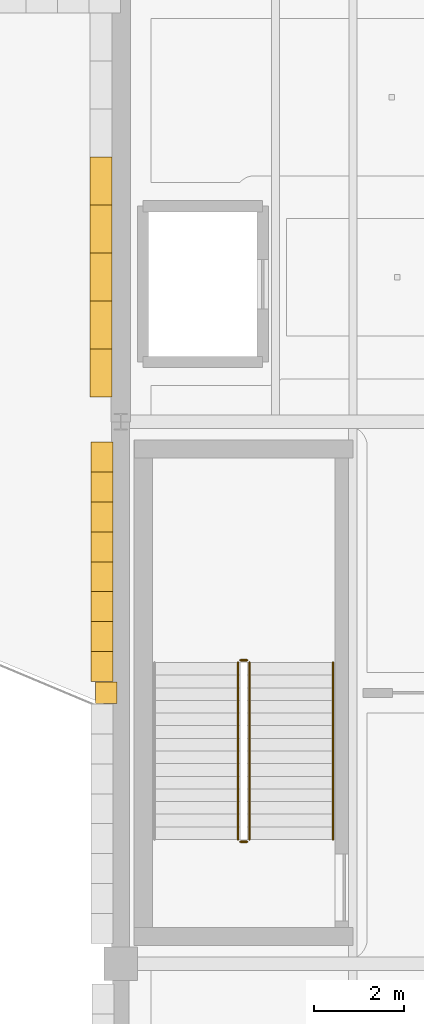
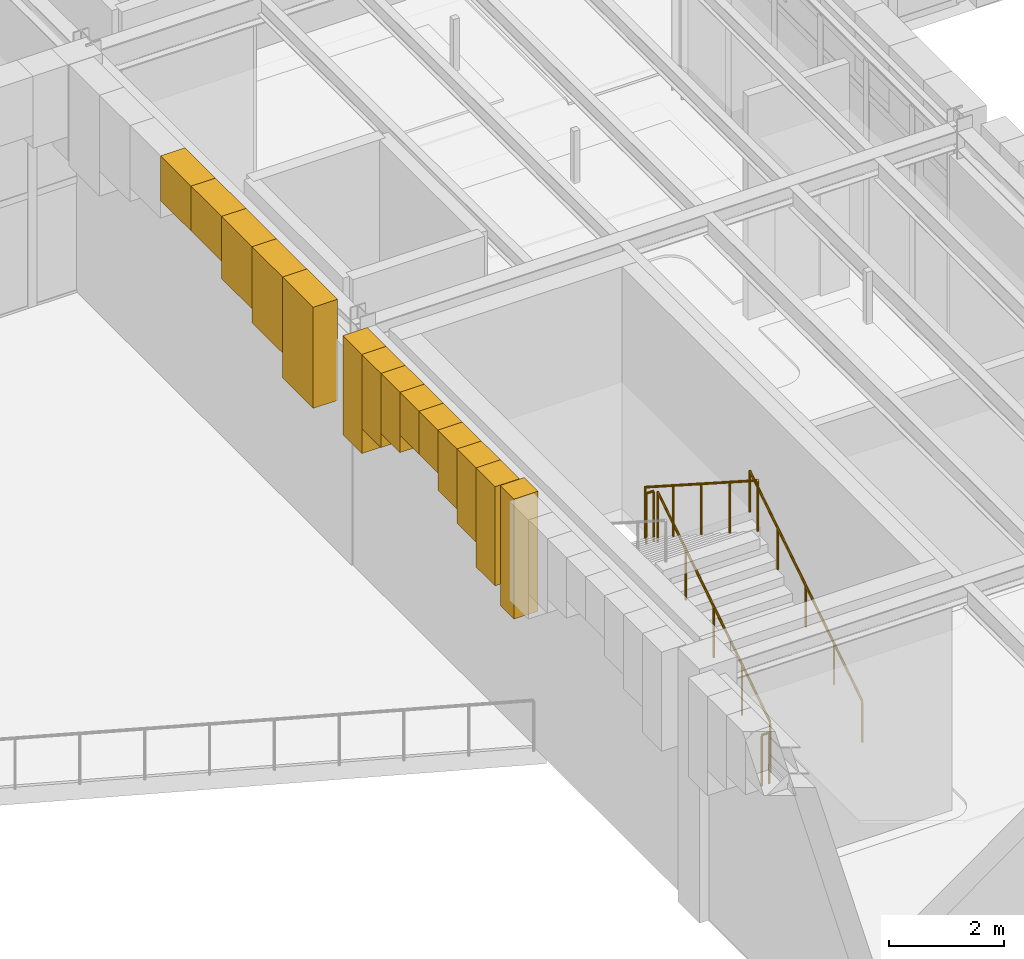
# One storey, part 86 of 103: 14 coverings, 5 railings.
"""IFC4 building model written with IfcOpenShell, lengths in metres."""

from ifc_helpers import new_model, si_unit, direction, frame, origin, origin_2d, place, context, subcontext, project, spatial, polyline, circle, outline, extrude, material, layer, layer_set, type_object, element, save


model = new_model("IFC4")

# Units and contexts
model_context = context("Model", 3, precision=1e-05, world=origin(), true_north=direction((0.0, 1.0)))
body_context = subcontext(model_context, "Body", "Model", "MODEL_VIEW")
ifc_project = project(units=[si_unit("LENGTHUNIT", "METRE"), si_unit("AREAUNIT", "SQUARE_METRE"), si_unit("VOLUMEUNIT", "CUBIC_METRE"), si_unit("PLANEANGLEUNIT", "RADIAN"), si_unit("MASSUNIT", "GRAM", prefix="KILO")], contexts=[model_context])

# Site, building, storey
site_placement = place(None, origin())
site = spatial("IfcSite", under=ifc_project, at=site_placement, CompositionType="ELEMENT")
building_placement = place(site_placement, origin())
building = spatial("IfcBuilding", under=site, at=building_placement, Name="Zlatogorsky Bluff Art Gallery", CompositionType="ELEMENT")
storey_placement = place(building_placement, origin())
storey = spatial("IfcBuildingStorey", under=building, at=storey_placement, Name="L00", CompositionType="ELEMENT", Elevation=0.0)

# Coverings
ifc_material_1 = material(Name="Honed Red Agra-Tone Quartzitic Sandstone", Category="masonry")
ifc_layer = layer(ifc_material_1, 0.1201171875)
ifc_layer_set = layer_set([ifc_layer], Name="Carved Sandstone Cladding CLD-02")
covering_type = type_object("IfcCoveringType", Name="Carved Sandstone Cladding CLD-02", PredefinedType="CLADDING", material=ifc_layer_set)
covering_1_placement = place(storey_placement, frame((0.0, 0.0, 2.81005859375)))
element("IfcCovering", 1, at=covering_1_placement, inside=storey, type_object=covering_type, Name="Mughal blind-arch sandstone pilaster L00.W.10.6", PredefinedType="CLADDING", context=body_context, shape_type="SweptSolid", body=[
    extrude(outline(polyline([(119.43994140625, 68.159912109375), (119.919921875, 68.159912109375), (119.919921875, 68.639892578125), (119.43994140625, 68.639892578125), (119.43994140625, 68.159912109375)])), origin(), (0.0, 0.0, 1.0), 2.550048828125),
])
covering_2_placement = place(storey_placement, frame((0.0, 0.0, 3.25244140625)))
element("IfcCovering", 2, at=covering_2_placement, inside=storey, type_object=covering_type, Name="Pointed Mughal arch voussoir spandrel WARCH-L00-W-10-06-B.1", PredefinedType="CLADDING", context=body_context, shape_type="SweptSolid", body=[
    extrude(outline(polyline([(119.340087890625, 68.64990234375), (119.340087890625, 69.3125), (119.830078125, 69.3125), (119.830078125, 68.64990234375), (119.340087890625, 68.64990234375)])), origin(), (0.0, 0.0, 1.0), 2.107666015625),
])
covering_3_placement = place(storey_placement, frame((0.0, 0.0, 3.78369140625)))
element("IfcCovering", 3, at=covering_3_placement, inside=storey, type_object=covering_type, Name="Pointed Mughal arch voussoir spandrel WARCH-L00-W-10-06-B.2", PredefinedType="CLADDING", context=body_context, shape_type="SweptSolid", body=[
    extrude(outline(polyline([(119.340087890625, 69.3125), (119.340087890625, 69.97509765625), (119.830078125, 69.97509765625), (119.830078125, 69.3125), (119.340087890625, 69.3125)])), origin(), (0.0, 0.0, 1.0), 1.576416015625),
])
covering_4_placement = place(storey_placement, frame((0.0, 0.0, 4.07666015625)))
element("IfcCovering", 4, at=covering_4_placement, inside=storey, type_object=covering_type, Name="Pointed Mughal arch voussoir spandrel WARCH-L00-W-10-06-B.3", PredefinedType="CLADDING", context=body_context, shape_type="SweptSolid", body=[
    extrude(outline(polyline([(119.340087890625, 69.97509765625), (119.340087890625, 70.637451171875), (119.830078125, 70.637451171875), (119.830078125, 69.97509765625), (119.340087890625, 69.97509765625)])), origin(), (0.0, 0.0, 1.0), 1.283447265625),
])
covering_5_placement = place(storey_placement, frame((0.0, 0.0, 4.4453125)))
element("IfcCovering", 5, at=covering_5_placement, inside=storey, type_object=covering_type, Name="Pointed Mughal arch voussoir spandrel WARCH-L00-W-10-06-B.4", PredefinedType="CLADDING", context=body_context, shape_type="SweptSolid", body=[
    extrude(outline(polyline([(119.340087890625, 70.637451171875), (119.340087890625, 71.300048828125), (119.830078125, 71.300048828125), (119.830078125, 70.637451171875), (119.340087890625, 70.637451171875)])), origin(), (0.0, 0.0, 1.0), 0.914794921875),
])
covering_6_placement = place(storey_placement, frame((0.0, 0.0, 4.4453125)))
element("IfcCovering", 6, at=covering_6_placement, inside=storey, type_object=covering_type, Name="Pointed Mughal arch voussoir spandrel WARCH-L00-W-10-06-B.5", PredefinedType="CLADDING", context=body_context, shape_type="SweptSolid", body=[
    extrude(outline(polyline([(119.340087890625, 71.300048828125), (119.340087890625, 71.96240234375), (119.830078125, 71.96240234375), (119.830078125, 71.300048828125), (119.340087890625, 71.300048828125)])), origin(), (0.0, 0.0, 1.0), 0.914794921875),
])
covering_7_placement = place(storey_placement, frame((0.0, 0.0, 4.07666015625)))
element("IfcCovering", 7, at=covering_7_placement, inside=storey, type_object=covering_type, Name="Pointed Mughal arch voussoir spandrel WARCH-L00-W-10-06-B.6", PredefinedType="CLADDING", context=body_context, shape_type="SweptSolid", body=[
    extrude(outline(polyline([(119.340087890625, 71.96240234375), (119.340087890625, 72.625), (119.830078125, 72.625), (119.830078125, 71.96240234375), (119.340087890625, 71.96240234375)])), origin(), (0.0, 0.0, 1.0), 1.283447265625),
])
covering_8_placement = place(storey_placement, frame((0.0, 0.0, 3.78369140625)))
element("IfcCovering", 8, at=covering_8_placement, inside=storey, type_object=covering_type, Name="Pointed Mughal arch voussoir spandrel WARCH-L00-W-10-06-B.7", PredefinedType="CLADDING", context=body_context, shape_type="SweptSolid", body=[
    extrude(outline(polyline([(119.340087890625, 72.625), (119.340087890625, 73.28759765625), (119.830078125, 73.28759765625), (119.830078125, 72.625), (119.340087890625, 72.625)])), origin(), (0.0, 0.0, 1.0), 1.576416015625),
])
covering_9_placement = place(storey_placement, frame((0.0, 0.0, 3.25244140625)))
element("IfcCovering", 9, at=covering_9_placement, inside=storey, type_object=covering_type, Name="Pointed Mughal arch voussoir spandrel WARCH-L00-W-10-06-B.8", PredefinedType="CLADDING", context=body_context, shape_type="SweptSolid", body=[
    extrude(outline(polyline([(119.340087890625, 73.28759765625), (119.340087890625, 73.949951171875), (119.830078125, 73.949951171875), (119.830078125, 73.28759765625), (119.340087890625, 73.28759765625)])), origin(), (0.0, 0.0, 1.0), 2.107666015625),
])
covering_10_placement = place(storey_placement, frame((0.0, 0.0, 3.21240234375)))
element("IfcCovering", 10, at=covering_10_placement, inside=storey, type_object=covering_type, Name="Pointed Mughal arch voussoir spandrel WARCH-L00-W-10-07-A.1", PredefinedType="CLADDING", context=body_context, shape_type="SweptSolid", body=[
    extrude(outline(polyline([(119.320068359375, 74.949951171875), (119.320068359375, 76.012451171875), (119.81005859375, 76.012451171875), (119.81005859375, 74.949951171875), (119.320068359375, 74.949951171875)])), origin(), (0.0, 0.0, 1.0), 2.147705078125),
])
covering_11_placement = place(storey_placement, frame((0.0, 0.0, 3.743896484375)))
element("IfcCovering", 11, at=covering_11_placement, inside=storey, type_object=covering_type, Name="Pointed Mughal arch voussoir spandrel WARCH-L00-W-10-07-A.2", PredefinedType="CLADDING", context=body_context, shape_type="SweptSolid", body=[
    extrude(outline(polyline([(119.320068359375, 76.012451171875), (119.320068359375, 77.074951171875), (119.81005859375, 77.074951171875), (119.81005859375, 76.012451171875), (119.320068359375, 76.012451171875)])), origin(), (0.0, 0.0, 1.0), 1.6162109375),
])
covering_12_placement = place(storey_placement, frame((0.0, 0.0, 4.03662109375)))
element("IfcCovering", 12, at=covering_12_placement, inside=storey, type_object=covering_type, Name="Pointed Mughal arch voussoir spandrel WARCH-L00-W-10-07-A.3", PredefinedType="CLADDING", context=body_context, shape_type="SweptSolid", body=[
    extrude(outline(polyline([(119.320068359375, 77.074951171875), (119.320068359375, 78.137451171875), (119.81005859375, 78.137451171875), (119.81005859375, 77.074951171875), (119.320068359375, 77.074951171875)])), origin(), (0.0, 0.0, 1.0), 1.323486328125),
])
covering_13_placement = place(storey_placement, frame((0.0, 0.0, 4.405517578125)))
element("IfcCovering", 13, at=covering_13_placement, inside=storey, type_object=covering_type, Name="Pointed Mughal arch voussoir spandrel WARCH-L00-W-10-07-A.4", PredefinedType="CLADDING", context=body_context, shape_type="SweptSolid", body=[
    extrude(outline(polyline([(119.320068359375, 78.137451171875), (119.320068359375, 79.199951171875), (119.81005859375, 79.199951171875), (119.81005859375, 78.137451171875), (119.320068359375, 78.137451171875)])), origin(), (0.0, 0.0, 1.0), 0.95458984375),
])
covering_14_placement = place(storey_placement, frame((0.0, 0.0, 4.405517578125)))
element("IfcCovering", 14, at=covering_14_placement, inside=storey, type_object=covering_type, Name="Pointed Mughal arch voussoir spandrel WARCH-L00-W-10-07-A.5", PredefinedType="CLADDING", context=body_context, shape_type="SweptSolid", body=[
    extrude(outline(polyline([(119.320068359375, 79.199951171875), (119.320068359375, 80.262451171875), (119.81005859375, 80.262451171875), (119.81005859375, 79.199951171875), (119.320068359375, 79.199951171875)])), origin(), (0.0, 0.0, 1.0), 0.95458984375),
])

# Railings
ifc_material_2 = material(Name="Architectural Bronze and Laminated Glass", Category="glass")
railing_type_1 = type_object("IfcRailingType", Name="Gallery Guard Rail 1100mm", PredefinedType="GUARDRAIL", material=ifc_material_2)
railing_1_placement = place(storey_placement, frame((122.85009765625, 65.14990234375, 0.179931640625)))
element("IfcRailing", 15, at=railing_1_placement, inside=storey, type_object=railing_type_1, Name="L00 ST-06 stair guard 1", PredefinedType="GUARDRAIL", context=body_context, shape_type="SweptSolid", body=[
    extrude(circle(Radius=0.02392578125, at=origin_2d()), frame((0.0, 0.0, 1.076171875), z_axis=(0.0, 0.841186985886, 0.540744352514), x_axis=(-1.0, 0.0, 0.0)), (0.0, 0.0, 1.0), 4.660400390625),
    extrude(circle(Radius=0.02099609375, at=origin_2d()), origin(), (0.0, 0.0, 1.0), 1.052001953125),
    extrude(circle(Radius=0.02099609375, at=origin_2d()), frame((0.0, 0.97998046875, 0.6298828125)), (0.0, 0.0, 1.0), 1.052001953125),
    extrude(circle(Radius=0.02099609375, at=origin_2d()), frame((0.0, 1.9599609375, 1.260009765625)), (0.0, 0.0, 1.0), 1.052001953125),
    extrude(circle(Radius=0.02099609375, at=origin_2d()), frame((0.0, 2.940185546875, 1.89013671875)), (0.0, 0.0, 1.0), 1.052001953125),
    extrude(circle(Radius=0.02099609375, at=origin_2d()), frame((0.0, 3.920166015625, 2.52001953125)), (0.0, 0.0, 1.0), 1.052001953125),
])
railing_2_placement = place(storey_placement, frame((122.800048828125, 69.1201171875, 2.699951171875)))
element("IfcRailing", 16, at=railing_2_placement, inside=storey, type_object=railing_type_1, Name="L00 ST-06 stair guard 2", PredefinedType="GUARDRAIL", context=body_context, shape_type="SweptSolid", body=[
    extrude(circle(Radius=0.02392578125, at=origin_2d()), frame((0.0, 0.0, 1.076171875), z_axis=(-1.0, 0.0, 0.0), x_axis=(0.0, -1.0, 0.0)), (0.0, 0.0, 1.0), 0.150146484375),
    extrude(circle(Radius=0.02099609375, at=origin_2d()), origin(), (0.0, 0.0, 1.0), 1.052001953125),
    extrude(circle(Radius=0.02099609375, at=origin_2d()), frame((-0.150146484375, 0.0, 0.0)), (0.0, 0.0, 1.0), 1.052001953125),
])
railing_3_placement = place(storey_placement, frame((122.60009765625, 69.070068359375, 2.8798828125)))
element("IfcRailing", 17, at=railing_3_placement, inside=storey, type_object=railing_type_1, Name="L00 ST-06 stair guard 3", PredefinedType="GUARDRAIL", context=body_context, shape_type="SweptSolid", body=[
    extrude(circle(Radius=0.02392578125, at=origin_2d()), frame((0.0, 0.0, 1.076171875), z_axis=(0.0, -0.841186985886, 0.540744352514), x_axis=(1.0, 0.0, 0.0)), (0.0, 0.0, 1.0), 4.660400390625),
    extrude(circle(Radius=0.02099609375, at=origin_2d()), origin(), (0.0, 0.0, 1.0), 1.052001953125),
    extrude(circle(Radius=0.02099609375, at=origin_2d()), frame((0.0, -0.97998046875, 0.6298828125)), (0.0, 0.0, 1.0), 1.052001953125),
    extrude(circle(Radius=0.02099609375, at=origin_2d()), frame((0.0, -1.9599609375, 1.260009765625)), (0.0, 0.0, 1.0), 1.052001953125),
    extrude(circle(Radius=0.02099609375, at=origin_2d()), frame((0.0, -2.940185546875, 1.89013671875)), (0.0, 0.0, 1.0), 1.052001953125),
    extrude(circle(Radius=0.02099609375, at=origin_2d()), frame((0.0, -3.920166015625, 2.52001953125)), (0.0, 0.0, 1.0), 1.052001953125),
])
railing_4_placement = place(storey_placement, frame((122.800048828125, 65.10009765625, 0.0)))
element("IfcRailing", 18, at=railing_4_placement, inside=storey, type_object=railing_type_1, Name="L00 ST-06 stair guard 4", PredefinedType="GUARDRAIL", context=body_context, shape_type="SweptSolid", body=[
    extrude(circle(Radius=0.02392578125, at=origin_2d()), frame((0.0, 0.0, 1.076171875), z_axis=(-1.0, 0.0, 0.0), x_axis=(0.0, -1.0, 0.0)), (0.0, 0.0, 1.0), 0.150146484375),
    extrude(circle(Radius=0.02099609375, at=origin_2d()), origin(), (0.0, 0.0, 1.0), 1.052001953125),
    extrude(circle(Radius=0.02099609375, at=origin_2d()), frame((-0.150146484375, 0.0, 0.0)), (0.0, 0.0, 1.0), 1.052001953125),
])
ifc_material_3 = material(Name="Brushed Stainless Steel", Category="steel")
railing_type_2 = type_object("IfcRailingType", Name="Stair Pitch Handrail 900mm", PredefinedType="HANDRAIL", material=ifc_material_3)
railing_5_placement = place(storey_placement, frame((124.699951171875, 65.14990234375, 0.179931640625)))
element("IfcRailing", 19, at=railing_5_placement, inside=storey, type_object=railing_type_2, Name="L00 ST-06 stair handrail 1", PredefinedType="HANDRAIL", context=body_context, shape_type="SweptSolid", body=[
    extrude(circle(Radius=0.02392578125, at=origin_2d()), frame((0.0, 0.0, 0.8759765625), z_axis=(0.0, 0.841186985886, 0.540744352514), x_axis=(-1.0, 0.0, 0.0)), (0.0, 0.0, 1.0), 4.660400390625),
    extrude(circle(Radius=0.02099609375, at=origin_2d()), origin(), (0.0, 0.0, 1.0), 0.851806640625),
    extrude(circle(Radius=0.02099609375, at=origin_2d()), frame((0.0, 0.97998046875, 0.6298828125)), (0.0, 0.0, 1.0), 0.851806640625),
    extrude(circle(Radius=0.02099609375, at=origin_2d()), frame((0.0, 1.9599609375, 1.260009765625)), (0.0, 0.0, 1.0), 0.851806640625),
    extrude(circle(Radius=0.02099609375, at=origin_2d()), frame((0.0, 2.940185546875, 1.89013671875)), (0.0, 0.0, 1.0), 0.851806640625),
    extrude(circle(Radius=0.02099609375, at=origin_2d()), frame((0.0, 3.920166015625, 2.52001953125)), (0.0, 0.0, 1.0), 0.851806640625),
])

save(model, "model.ifc")
